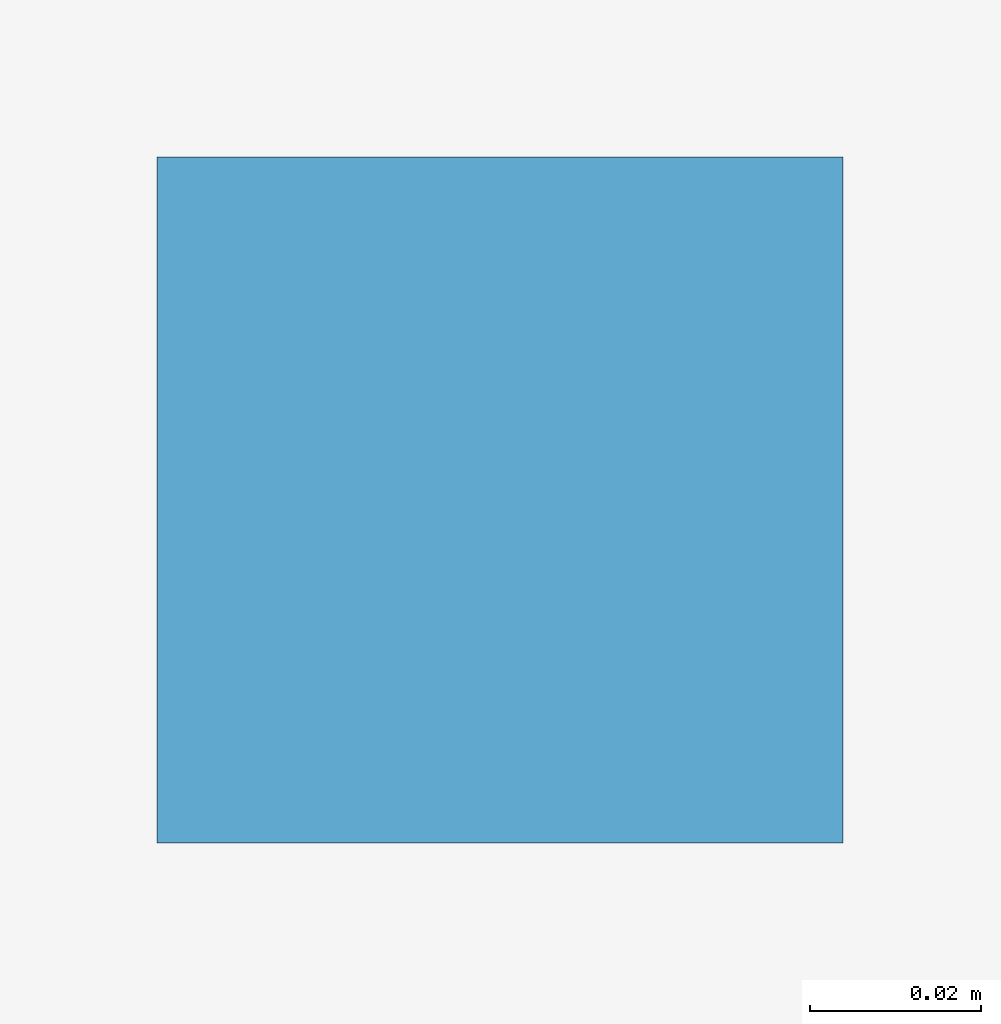
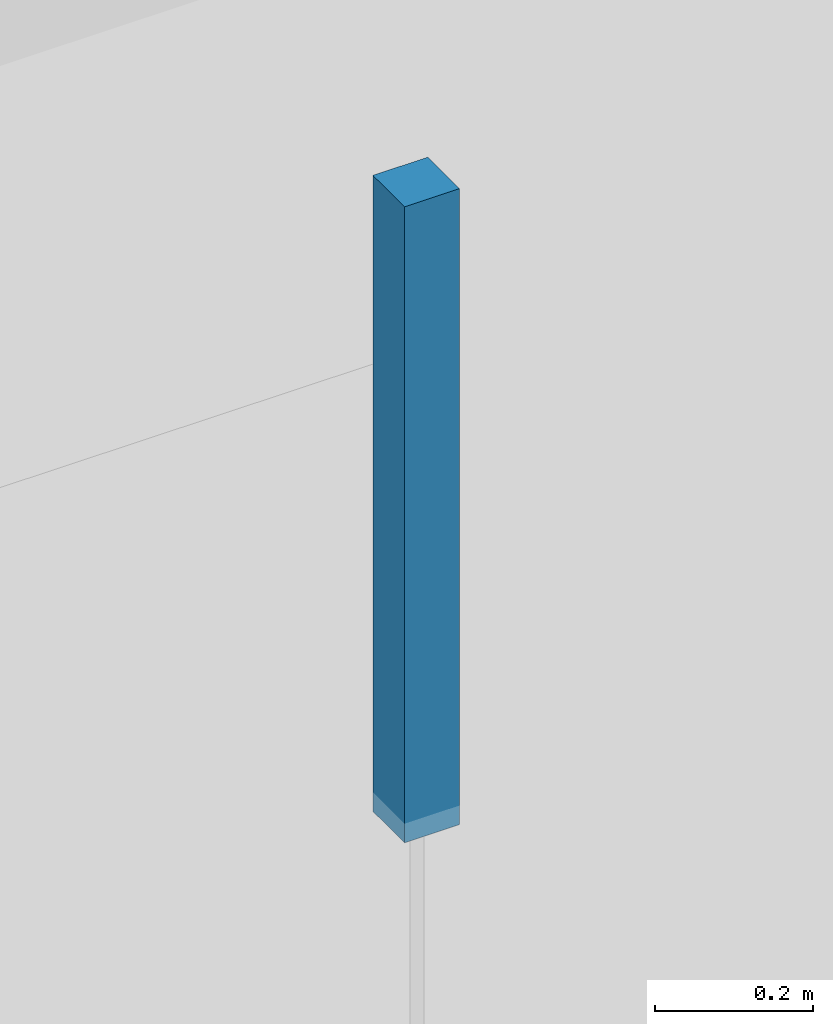
# One storey, part 11 of 15: 1 discrete accessory.
"""IFC4 building model written with IfcOpenShell, lengths in metres."""

from ifc_helpers import new_model, si_unit, direction, frame, origin, origin_2d, place, context, subcontext, project, spatial, rectangle, extrude, source, transform, mapped, material, type_object, element, save


model = new_model("IFC4")

# Units and contexts
model_context = context("Model", 3, precision=1e-05, world=origin(), true_north=direction((0.0, 1.0)))
body_context = subcontext(model_context, "Body", "Model", "MODEL_VIEW")
ifc_project = project(units=[si_unit("LENGTHUNIT", "METRE"), si_unit("AREAUNIT", "SQUARE_METRE"), si_unit("VOLUMEUNIT", "CUBIC_METRE"), si_unit("PLANEANGLEUNIT", "RADIAN"), si_unit("MASSUNIT", "GRAM", prefix="KILO")], contexts=[model_context])

# Site, building, storey
site_placement = place(None, origin())
site = spatial("IfcSite", under=ifc_project, at=site_placement, CompositionType="ELEMENT")
building_placement = place(site_placement, origin())
building = spatial("IfcBuilding", under=site, at=building_placement, Name="Giltprow Tower", CompositionType="ELEMENT")
storey_placement = place(building_placement, frame((0.0, 0.0, 103.60009765625)))
storey = spatial("IfcBuildingStorey", under=building, at=storey_placement, Name="L25", CompositionType="ELEMENT", Elevation=103.60009765625)

# Discrete accessory
ifc_material = material(Name="Structural steel Q355B", Category="steel")
discrete_accessory_type = type_object("IfcDiscreteAccessoryType", Name="ACC-CLG-HANGER", PredefinedType="BRACKET", material=ifc_material)
shared_shape = source(origin(), body_context, "Body", "SweptSolid", [
    extrude(rectangle(XDim=0.080078125, YDim=0.080078125, at=origin_2d()), origin(), (0.0, 0.0, 1.0), 0.97998046875),
])
discrete_accessory_placement = place(storey_placement, frame((25.39990234375, 20.055908203125, 2.719970703125), z_axis=(0.0, 0.0, 1.0), x_axis=(1.0, 0.0, 0.0)))
element("IfcDiscreteAccessory", 1, at=discrete_accessory_placement, inside=storey, type_object=discrete_accessory_type, Name="L25 Office Acoustic Ceiling Suspension Hanger", PredefinedType="BRACKET", context=body_context, shape_type="MappedRepresentation", body=[
    mapped(shared_shape, transform((0.0, 0.0, 0.0), x_axis=(1.0, 0.0, 0.0), y_axis=(0.0, 1.0, 0.0), z_axis=(0.0, 0.0, 1.0), scale=1.0)),
])

save(model, "model.ifc")
